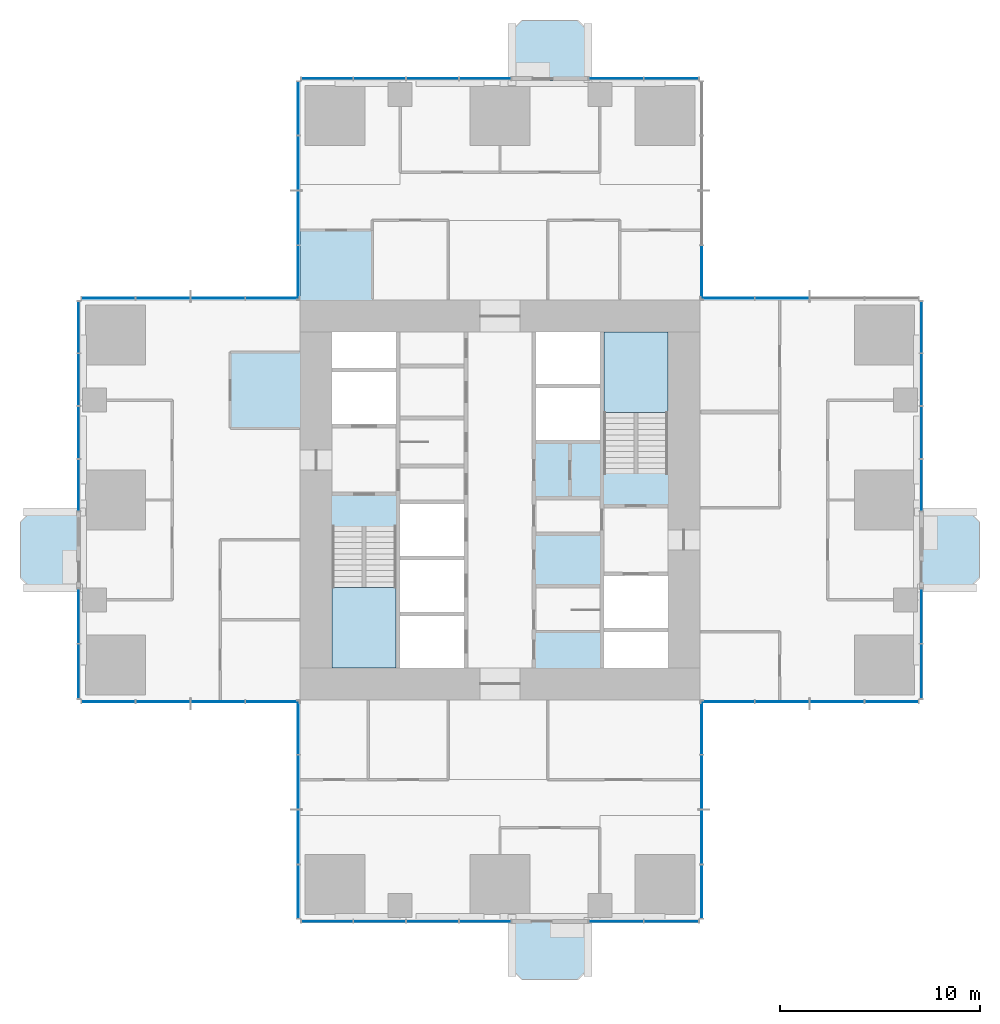
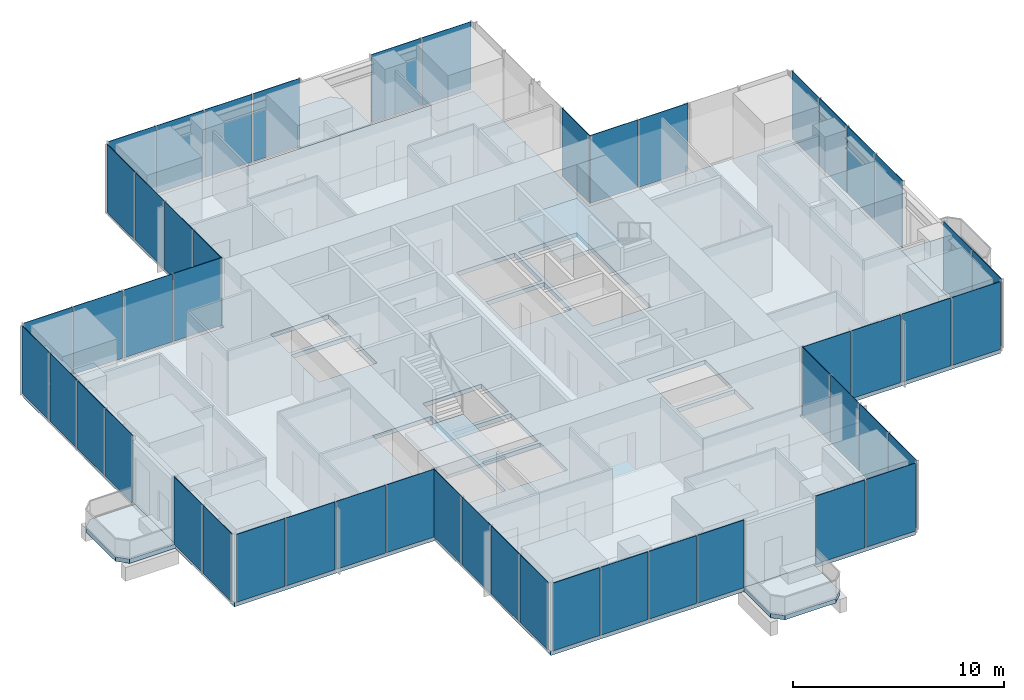
# One storey, part 7 of 14: 51 plates, 7 slabs, 18 elements without a shape of their own.
"""IFC4 building model written with IfcOpenShell, lengths in metres."""

from ifc_helpers import new_model, si_unit, direction, frame, origin, origin_2d, place, context, subcontext, project, spatial, polyline, rectangle, outline, extrude, material, layer, layer_set, type_object, element, aggregate, save


model = new_model("IFC4")

# Units and contexts
model_context = context("Model", 3, precision=1e-05, world=origin(), true_north=direction((0.0, 1.0)))
body_context = subcontext(model_context, "Body", "Model", "MODEL_VIEW")
ifc_project = project(units=[si_unit("LENGTHUNIT", "METRE"), si_unit("AREAUNIT", "SQUARE_METRE"), si_unit("VOLUMEUNIT", "CUBIC_METRE"), si_unit("PLANEANGLEUNIT", "RADIAN"), si_unit("MASSUNIT", "GRAM", prefix="KILO")], contexts=[model_context])

# Site, building, storey
site_placement = place(None, origin())
site = spatial("IfcSite", under=ifc_project, at=site_placement, CompositionType="ELEMENT")
building_placement = place(site_placement, origin())
building = spatial("IfcBuilding", under=site, at=building_placement, Name="Svetlomir Tower", CompositionType="ELEMENT")
storey_placement = place(building_placement, frame((0.0, 0.0, 112.5)))
storey = spatial("IfcBuildingStorey", under=building, at=storey_placement, Name="L26", CompositionType="ELEMENT", Elevation=112.5)

# Slabs
ifc_material_1 = material(Name="Concrete C60/75", Category="concrete")
ifc_layer_1 = layer(ifc_material_1, 0.25)
ifc_layer_set_1 = layer_set([ifc_layer_1], Name="Concrete C60/75")
slab_type_1 = type_object("IfcSlabType", Name="BALCONY SLAB 250", PredefinedType="FLOOR", material=ifc_layer_set_1)
slab_1_placement = place(storey_placement, frame((0.0, 0.0, -0.25)))
element("IfcSlab", 1, at=slab_1_placement, inside=storey, type_object=slab_type_1, Name="L26 S planted balcony", PredefinedType="FLOOR", context=body_context, shape_type="SweptSolid", body=[
    extrude(outline(polyline([(21.60009765625, -2.5), (22.10009765625, -3.0), (24.89990234375, -3.0), (25.39990234375, -2.5), (25.39990234375, 0.0), (21.60009765625, 0.0), (21.60009765625, -2.5)])), origin(), (0.0, 0.0, 1.0), 0.25),
])
slab_2_placement = place(storey_placement, frame((0.0, 0.0, -0.25)))
element("IfcSlab", 2, at=slab_2_placement, inside=storey, type_object=slab_type_1, Name="L26 E planted balcony", PredefinedType="FLOOR", context=body_context, shape_type="SweptSolid", body=[
    extrude(outline(polyline([(42.0, 16.60009765625), (44.5, 16.60009765625), (45.0, 17.10009765625), (45.0, 19.89990234375), (44.5, 20.39990234375), (42.0, 20.39990234375), (42.0, 16.60009765625)])), origin(), (0.0, 0.0, 1.0), 0.25),
])
slab_3_placement = place(storey_placement, frame((0.0, 0.0, -0.25)))
element("IfcSlab", 3, at=slab_3_placement, inside=storey, type_object=slab_type_1, Name="L26 N planted balcony", PredefinedType="FLOOR", context=body_context, shape_type="SweptSolid", body=[
    extrude(outline(polyline([(21.60009765625, 42.0), (25.39990234375, 42.0), (25.39990234375, 44.5), (24.89990234375, 45.0), (22.10009765625, 45.0), (21.60009765625, 44.5), (21.60009765625, 42.0)])), origin(), (0.0, 0.0, 1.0), 0.25),
])
slab_4_placement = place(storey_placement, frame((0.0, 0.0, -0.25)))
element("IfcSlab", 4, at=slab_4_placement, inside=storey, type_object=slab_type_1, Name="L26 W planted balcony", PredefinedType="FLOOR", context=body_context, shape_type="SweptSolid", body=[
    extrude(outline(polyline([(-2.5, 16.60009765625), (0.0, 16.60009765625), (0.0, 20.39990234375), (-2.5, 20.39990234375), (-3.0, 19.89990234375), (-3.0, 17.10009765625), (-2.5, 16.60009765625)])), origin(), (0.0, 0.0, 1.0), 0.25),
])

# Curtain wall, plates
ifc_material_2 = material(Name="Bronze anodised aluminium curtain wall", Category="aluminium")
curtain_wall_type = type_object("IfcCurtainWallType", Name="CURTAIN WALL CW1 TOWER OFFICE", PredefinedType="NOTDEFINED", material=ifc_material_2)
curtain_wall_1_placement = place(storey_placement, origin())
curtain_wall_1 = element("IfcCurtainWall", 5, at=curtain_wall_1_placement, inside=storey, type_object=curtain_wall_type, Name="Curtain wall CW1 L26", PredefinedType="NOTDEFINED")
ifc_material_3 = material(Name="Tinted double glazed unit", Category="glass")
ifc_layer_2 = layer(ifc_material_3, 0.031982421875)
ifc_layer_set_2 = layer_set([ifc_layer_2], Name="Tinted double glazed unit")
plate_type = type_object("IfcPlateType", Name="CW1 GLAZED PANEL 32", PredefinedType="CURTAIN_PANEL", material=ifc_layer_set_2)
plate_1_placement = place(storey_placement, frame((12.34130859375, -0.10009765625, 0.06494140625), z_axis=(0.0, 0.0, 1.0), x_axis=(1.0, 0.0, 0.0)))
plate_1 = element("IfcPlate", 6, at=plate_1_placement, type_object=plate_type, Name="CW1 panel 1.1", PredefinedType="CURTAIN_PANEL", context=body_context, shape_type="SweptSolid", body=[
    extrude(rectangle(XDim=2.552490234375, YDim=0.031982421875, at=origin_2d()), origin(), (0.0, 0.0, 1.0), 3.93505859375),
])
plate_2_placement = place(storey_placement, frame((14.97509765625, -0.10009765625, 0.06494140625), z_axis=(0.0, 0.0, 1.0), x_axis=(1.0, 0.0, 0.0)))
plate_2 = element("IfcPlate", 7, at=plate_2_placement, type_object=plate_type, Name="CW1 panel 2.1", PredefinedType="CURTAIN_PANEL", context=body_context, shape_type="SweptSolid", body=[
    extrude(rectangle(XDim=2.5849609375, YDim=0.031982421875, at=origin_2d()), origin(), (0.0, 0.0, 1.0), 3.93505859375),
])
plate_3_placement = place(storey_placement, frame((17.625, -0.10009765625, 0.06494140625), z_axis=(0.0, 0.0, 1.0), x_axis=(1.0, 0.0, 0.0)))
plate_3 = element("IfcPlate", 8, at=plate_3_placement, type_object=plate_type, Name="CW1 panel 3.1", PredefinedType="CURTAIN_PANEL", context=body_context, shape_type="SweptSolid", body=[
    extrude(rectangle(XDim=2.5849609375, YDim=0.031982421875, at=origin_2d()), origin(), (0.0, 0.0, 1.0), 3.93505859375),
])
plate_4_placement = place(storey_placement, frame((20.2587890625, -0.10009765625, 0.06494140625), z_axis=(0.0, 0.0, 1.0), x_axis=(1.0, 0.0, 0.0)))
plate_4 = element("IfcPlate", 9, at=plate_4_placement, type_object=plate_type, Name="CW1 panel 4.1", PredefinedType="CURTAIN_PANEL", context=body_context, shape_type="SweptSolid", body=[
    extrude(rectangle(XDim=2.552490234375, YDim=0.031982421875, at=origin_2d()), origin(), (0.0, 0.0, 1.0), 3.93505859375),
])
aggregate(curtain_wall_1, [plate_1, plate_2, plate_3, plate_4])

curtain_wall_2_placement = place(storey_placement, origin())
curtain_wall_2 = element("IfcCurtainWall", 10, at=curtain_wall_2_placement, inside=storey, type_object=curtain_wall_type, Name="Curtain wall CW1 L26", PredefinedType="NOTDEFINED")
plate_5_placement = place(storey_placement, frame((26.816162109375, -0.10009765625, 0.06494140625), z_axis=(0.0, 0.0, 1.0), x_axis=(1.0, 0.0, 0.0)))
plate_5 = element("IfcPlate", 11, at=plate_5_placement, type_object=plate_type, Name="CW1 panel 1.1", PredefinedType="CURTAIN_PANEL", context=body_context, shape_type="SweptSolid", body=[
    extrude(rectangle(XDim=2.702392578125, YDim=0.031982421875, at=origin_2d()), origin(), (0.0, 0.0, 1.0), 3.93505859375),
])
plate_6_placement = place(storey_placement, frame((29.583740234375, -0.10009765625, 0.06494140625), z_axis=(0.0, 0.0, 1.0), x_axis=(1.0, 0.0, 0.0)))
plate_6 = element("IfcPlate", 12, at=plate_6_placement, type_object=plate_type, Name="CW1 panel 2.1", PredefinedType="CURTAIN_PANEL", context=body_context, shape_type="SweptSolid", body=[
    extrude(rectangle(XDim=2.702392578125, YDim=0.031982421875, at=origin_2d()), origin(), (0.0, 0.0, 1.0), 3.93505859375),
])
aggregate(curtain_wall_2, [plate_5, plate_6])

curtain_wall_3_placement = place(storey_placement, origin())
curtain_wall_3 = element("IfcCurtainWall", 13, at=curtain_wall_3_placement, inside=storey, type_object=curtain_wall_type, Name="Curtain wall CW1 L26", PredefinedType="NOTDEFINED")
plate_7_placement = place(storey_placement, frame((31.10009765625, 1.391357421875, 0.06494140625), z_axis=(0.0, 0.0, 1.0), x_axis=(0.0, 1.0, 0.0)))
plate_7 = element("IfcPlate", 14, at=plate_7_placement, type_object=plate_type, Name="CW1 panel 1.1", PredefinedType="CURTAIN_PANEL", context=body_context, shape_type="SweptSolid", body=[
    extrude(rectangle(XDim=2.652587890625, YDim=0.031982421875, at=origin_2d()), origin(), (0.0, 0.0, 1.0), 3.93505859375),
])
plate_8_placement = place(storey_placement, frame((31.10009765625, 4.125, 0.06494140625), z_axis=(0.0, 0.0, 1.0), x_axis=(0.0, 1.0, 0.0)))
plate_8 = element("IfcPlate", 15, at=plate_8_placement, type_object=plate_type, Name="CW1 panel 2.1", PredefinedType="CURTAIN_PANEL", context=body_context, shape_type="SweptSolid", body=[
    extrude(rectangle(XDim=2.68505859375, YDim=0.031982421875, at=origin_2d()), origin(), (0.0, 0.0, 1.0), 3.93505859375),
])
plate_9_placement = place(storey_placement, frame((31.10009765625, 6.875, 0.06494140625), z_axis=(0.0, 0.0, 1.0), x_axis=(0.0, 1.0, 0.0)))
plate_9 = element("IfcPlate", 16, at=plate_9_placement, type_object=plate_type, Name="CW1 panel 3.1", PredefinedType="CURTAIN_PANEL", context=body_context, shape_type="SweptSolid", body=[
    extrude(rectangle(XDim=2.68505859375, YDim=0.031982421875, at=origin_2d()), origin(), (0.0, 0.0, 1.0), 3.93505859375),
])
plate_10_placement = place(storey_placement, frame((31.10009765625, 9.608642578125, 0.06494140625), z_axis=(0.0, 0.0, 1.0), x_axis=(0.0, 1.0, 0.0)))
plate_10 = element("IfcPlate", 17, at=plate_10_placement, type_object=plate_type, Name="CW1 panel 4.1", PredefinedType="CURTAIN_PANEL", context=body_context, shape_type="SweptSolid", body=[
    extrude(rectangle(XDim=2.652587890625, YDim=0.031982421875, at=origin_2d()), origin(), (0.0, 0.0, 1.0), 3.93505859375),
])
aggregate(curtain_wall_3, [plate_7, plate_8, plate_9, plate_10])

curtain_wall_4_placement = place(storey_placement, origin())
curtain_wall_4 = element("IfcCurtainWall", 18, at=curtain_wall_4_placement, inside=storey, type_object=curtain_wall_type, Name="Curtain wall CW1 L26", PredefinedType="NOTDEFINED")
plate_11_placement = place(storey_placement, frame((32.391357421875, 10.89990234375, 0.06494140625), z_axis=(0.0, 0.0, 1.0), x_axis=(1.0, 0.0, 0.0)))
plate_11 = element("IfcPlate", 19, at=plate_11_placement, type_object=plate_type, Name="CW1 panel 1.1", PredefinedType="CURTAIN_PANEL", context=body_context, shape_type="SweptSolid", body=[
    extrude(rectangle(XDim=2.652587890625, YDim=0.031982421875, at=origin_2d()), origin(), (0.0, 0.0, 1.0), 3.93505859375),
])
plate_12_placement = place(storey_placement, frame((35.125, 10.89990234375, 0.06494140625), z_axis=(0.0, 0.0, 1.0), x_axis=(1.0, 0.0, 0.0)))
plate_12 = element("IfcPlate", 20, at=plate_12_placement, type_object=plate_type, Name="CW1 panel 2.1", PredefinedType="CURTAIN_PANEL", context=body_context, shape_type="SweptSolid", body=[
    extrude(rectangle(XDim=2.68505859375, YDim=0.031982421875, at=origin_2d()), origin(), (0.0, 0.0, 1.0), 3.93505859375),
])
plate_13_placement = place(storey_placement, frame((37.875, 10.89990234375, 0.06494140625), z_axis=(0.0, 0.0, 1.0), x_axis=(1.0, 0.0, 0.0)))
plate_13 = element("IfcPlate", 21, at=plate_13_placement, type_object=plate_type, Name="CW1 panel 3.1", PredefinedType="CURTAIN_PANEL", context=body_context, shape_type="SweptSolid", body=[
    extrude(rectangle(XDim=2.68505859375, YDim=0.031982421875, at=origin_2d()), origin(), (0.0, 0.0, 1.0), 3.93505859375),
])
plate_14_placement = place(storey_placement, frame((40.608642578125, 10.89990234375, 0.06494140625), z_axis=(0.0, 0.0, 1.0), x_axis=(1.0, 0.0, 0.0)))
plate_14 = element("IfcPlate", 22, at=plate_14_placement, type_object=plate_type, Name="CW1 panel 4.1", PredefinedType="CURTAIN_PANEL", context=body_context, shape_type="SweptSolid", body=[
    extrude(rectangle(XDim=2.652587890625, YDim=0.031982421875, at=origin_2d()), origin(), (0.0, 0.0, 1.0), 3.93505859375),
])
aggregate(curtain_wall_4, [plate_11, plate_12, plate_13, plate_14])

curtain_wall_5_placement = place(storey_placement, origin())
curtain_wall_5 = element("IfcCurtainWall", 23, at=curtain_wall_5_placement, inside=storey, type_object=curtain_wall_type, Name="Curtain wall CW1 L26", PredefinedType="NOTDEFINED")
plate_15_placement = place(storey_placement, frame((42.10009765625, 12.416259765625, 0.06494140625), z_axis=(0.0, 0.0, 1.0), x_axis=(0.0, 1.0, 0.0)))
plate_15 = element("IfcPlate", 24, at=plate_15_placement, type_object=plate_type, Name="CW1 panel 1.1", PredefinedType="CURTAIN_PANEL", context=body_context, shape_type="SweptSolid", body=[
    extrude(rectangle(XDim=2.702392578125, YDim=0.031982421875, at=origin_2d()), origin(), (0.0, 0.0, 1.0), 3.93505859375),
])
plate_16_placement = place(storey_placement, frame((42.10009765625, 15.183837890625, 0.06494140625), z_axis=(0.0, 0.0, 1.0), x_axis=(0.0, 1.0, 0.0)))
plate_16 = element("IfcPlate", 25, at=plate_16_placement, type_object=plate_type, Name="CW1 panel 2.1", PredefinedType="CURTAIN_PANEL", context=body_context, shape_type="SweptSolid", body=[
    extrude(rectangle(XDim=2.702392578125, YDim=0.031982421875, at=origin_2d()), origin(), (0.0, 0.0, 1.0), 3.93505859375),
])
aggregate(curtain_wall_5, [plate_15, plate_16])

curtain_wall_6_placement = place(storey_placement, origin())
curtain_wall_6 = element("IfcCurtainWall", 26, at=curtain_wall_6_placement, inside=storey, type_object=curtain_wall_type, Name="Curtain wall CW1 L26", PredefinedType="NOTDEFINED")
plate_17_placement = place(storey_placement, frame((42.10009765625, 21.7412109375, 0.06494140625), z_axis=(0.0, 0.0, 1.0), x_axis=(0.0, 1.0, 0.0)))
plate_17 = element("IfcPlate", 27, at=plate_17_placement, type_object=plate_type, Name="CW1 panel 1.1", PredefinedType="CURTAIN_PANEL", context=body_context, shape_type="SweptSolid", body=[
    extrude(rectangle(XDim=2.552490234375, YDim=0.031982421875, at=origin_2d()), origin(), (0.0, 0.0, 1.0), 3.93505859375),
])
plate_18_placement = place(storey_placement, frame((42.10009765625, 24.375, 0.06494140625), z_axis=(0.0, 0.0, 1.0), x_axis=(0.0, 1.0, 0.0)))
plate_18 = element("IfcPlate", 28, at=plate_18_placement, type_object=plate_type, Name="CW1 panel 2.1", PredefinedType="CURTAIN_PANEL", context=body_context, shape_type="SweptSolid", body=[
    extrude(rectangle(XDim=2.5849609375, YDim=0.031982421875, at=origin_2d()), origin(), (0.0, 0.0, 1.0), 3.93505859375),
])
plate_19_placement = place(storey_placement, frame((42.10009765625, 27.02490234375, 0.06494140625), z_axis=(0.0, 0.0, 1.0), x_axis=(0.0, 1.0, 0.0)))
plate_19 = element("IfcPlate", 29, at=plate_19_placement, type_object=plate_type, Name="CW1 panel 3.1", PredefinedType="CURTAIN_PANEL", context=body_context, shape_type="SweptSolid", body=[
    extrude(rectangle(XDim=2.5849609375, YDim=0.031982421875, at=origin_2d()), origin(), (0.0, 0.0, 1.0), 3.93505859375),
])
plate_20_placement = place(storey_placement, frame((42.10009765625, 29.65869140625, 0.06494140625), z_axis=(0.0, 0.0, 1.0), x_axis=(0.0, 1.0, 0.0)))
plate_20 = element("IfcPlate", 30, at=plate_20_placement, type_object=plate_type, Name="CW1 panel 4.1", PredefinedType="CURTAIN_PANEL", context=body_context, shape_type="SweptSolid", body=[
    extrude(rectangle(XDim=2.552490234375, YDim=0.031982421875, at=origin_2d()), origin(), (0.0, 0.0, 1.0), 3.93505859375),
])
aggregate(curtain_wall_6, [plate_17, plate_18, plate_19, plate_20])

curtain_wall_7_placement = place(storey_placement, origin())
curtain_wall_7 = element("IfcCurtainWall", 31, at=curtain_wall_7_placement, inside=storey, type_object=curtain_wall_type, Name="Curtain wall CW1 L26", PredefinedType="NOTDEFINED")
plate_21_placement = place(storey_placement, frame((35.125, 31.10009765625, 0.06494140625), z_axis=(0.0, 0.0, 1.0), x_axis=(-1.0, 0.0, 0.0)))
plate_21 = element("IfcPlate", 32, at=plate_21_placement, type_object=plate_type, Name="CW1 panel 3.1", PredefinedType="CURTAIN_PANEL", context=body_context, shape_type="SweptSolid", body=[
    extrude(rectangle(XDim=2.68505859375, YDim=0.031982421875, at=origin_2d()), origin(), (0.0, 0.0, 1.0), 3.93505859375),
])
plate_22_placement = place(storey_placement, frame((32.391357421875, 31.10009765625, 0.06494140625), z_axis=(0.0, 0.0, 1.0), x_axis=(-1.0, 0.0, 0.0)))
plate_22 = element("IfcPlate", 33, at=plate_22_placement, type_object=plate_type, Name="CW1 panel 4.1", PredefinedType="CURTAIN_PANEL", context=body_context, shape_type="SweptSolid", body=[
    extrude(rectangle(XDim=2.652587890625, YDim=0.031982421875, at=origin_2d()), origin(), (0.0, 0.0, 1.0), 3.93505859375),
])
aggregate(curtain_wall_7, [plate_21, plate_22])

# Curtain wall, plate
curtain_wall_8_placement = place(storey_placement, origin())
curtain_wall_8 = element("IfcCurtainWall", 34, at=curtain_wall_8_placement, inside=storey, type_object=curtain_wall_type, Name="Curtain wall CW1 L26", PredefinedType="NOTDEFINED")
plate_23_placement = place(storey_placement, frame((31.10009765625, 32.391357421875, 0.06494140625), z_axis=(0.0, 0.0, 1.0), x_axis=(0.0, 1.0, 0.0)))
plate_23 = element("IfcPlate", 35, at=plate_23_placement, type_object=plate_type, Name="CW1 panel 1.1", PredefinedType="CURTAIN_PANEL", context=body_context, shape_type="SweptSolid", body=[
    extrude(rectangle(XDim=2.652587890625, YDim=0.031982421875, at=origin_2d()), origin(), (0.0, 0.0, 1.0), 3.93505859375),
])
aggregate(curtain_wall_8, [plate_23])

# Curtain wall, plates
curtain_wall_9_placement = place(storey_placement, origin())
curtain_wall_9 = element("IfcCurtainWall", 36, at=curtain_wall_9_placement, inside=storey, type_object=curtain_wall_type, Name="Curtain wall CW1 L26", PredefinedType="NOTDEFINED")
plate_24_placement = place(storey_placement, frame((29.583740234375, 42.10009765625, 0.06494140625), z_axis=(0.0, 0.0, 1.0), x_axis=(-1.0, 0.0, 0.0)))
plate_24 = element("IfcPlate", 37, at=plate_24_placement, type_object=plate_type, Name="CW1 panel 1.1", PredefinedType="CURTAIN_PANEL", context=body_context, shape_type="SweptSolid", body=[
    extrude(rectangle(XDim=2.702392578125, YDim=0.031982421875, at=origin_2d()), origin(), (0.0, 0.0, 1.0), 3.93505859375),
])
plate_25_placement = place(storey_placement, frame((26.816162109375, 42.10009765625, 0.06494140625), z_axis=(0.0, 0.0, 1.0), x_axis=(-1.0, 0.0, 0.0)))
plate_25 = element("IfcPlate", 38, at=plate_25_placement, type_object=plate_type, Name="CW1 panel 2.1", PredefinedType="CURTAIN_PANEL", context=body_context, shape_type="SweptSolid", body=[
    extrude(rectangle(XDim=2.702392578125, YDim=0.031982421875, at=origin_2d()), origin(), (0.0, 0.0, 1.0), 3.93505859375),
])
aggregate(curtain_wall_9, [plate_24, plate_25])

curtain_wall_10_placement = place(storey_placement, origin())
curtain_wall_10 = element("IfcCurtainWall", 39, at=curtain_wall_10_placement, inside=storey, type_object=curtain_wall_type, Name="Curtain wall CW1 L26", PredefinedType="NOTDEFINED")
plate_26_placement = place(storey_placement, frame((20.2587890625, 42.10009765625, 0.06494140625), z_axis=(0.0, 0.0, 1.0), x_axis=(-1.0, 0.0, 0.0)))
plate_26 = element("IfcPlate", 40, at=plate_26_placement, type_object=plate_type, Name="CW1 panel 1.1", PredefinedType="CURTAIN_PANEL", context=body_context, shape_type="SweptSolid", body=[
    extrude(rectangle(XDim=2.552490234375, YDim=0.031982421875, at=origin_2d()), origin(), (0.0, 0.0, 1.0), 3.93505859375),
])
plate_27_placement = place(storey_placement, frame((17.625, 42.10009765625, 0.06494140625), z_axis=(0.0, 0.0, 1.0), x_axis=(-1.0, 0.0, 0.0)))
plate_27 = element("IfcPlate", 41, at=plate_27_placement, type_object=plate_type, Name="CW1 panel 2.1", PredefinedType="CURTAIN_PANEL", context=body_context, shape_type="SweptSolid", body=[
    extrude(rectangle(XDim=2.5849609375, YDim=0.031982421875, at=origin_2d()), origin(), (0.0, 0.0, 1.0), 3.93505859375),
])
plate_28_placement = place(storey_placement, frame((14.97509765625, 42.10009765625, 0.06494140625), z_axis=(0.0, 0.0, 1.0), x_axis=(-1.0, 0.0, 0.0)))
plate_28 = element("IfcPlate", 42, at=plate_28_placement, type_object=plate_type, Name="CW1 panel 3.1", PredefinedType="CURTAIN_PANEL", context=body_context, shape_type="SweptSolid", body=[
    extrude(rectangle(XDim=2.5849609375, YDim=0.031982421875, at=origin_2d()), origin(), (0.0, 0.0, 1.0), 3.93505859375),
])
plate_29_placement = place(storey_placement, frame((12.34130859375, 42.10009765625, 0.06494140625), z_axis=(0.0, 0.0, 1.0), x_axis=(-1.0, 0.0, 0.0)))
plate_29 = element("IfcPlate", 43, at=plate_29_placement, type_object=plate_type, Name="CW1 panel 4.1", PredefinedType="CURTAIN_PANEL", context=body_context, shape_type="SweptSolid", body=[
    extrude(rectangle(XDim=2.552490234375, YDim=0.031982421875, at=origin_2d()), origin(), (0.0, 0.0, 1.0), 3.93505859375),
])
aggregate(curtain_wall_10, [plate_26, plate_27, plate_28, plate_29])

curtain_wall_11_placement = place(storey_placement, origin())
curtain_wall_11 = element("IfcCurtainWall", 44, at=curtain_wall_11_placement, inside=storey, type_object=curtain_wall_type, Name="Curtain wall CW1 L26", PredefinedType="NOTDEFINED")
plate_30_placement = place(storey_placement, frame((10.89990234375, 40.608642578125, 0.06494140625), z_axis=(0.0, 0.0, 1.0), x_axis=(0.0, -1.0, 0.0)))
plate_30 = element("IfcPlate", 45, at=plate_30_placement, type_object=plate_type, Name="CW1 panel 1.1", PredefinedType="CURTAIN_PANEL", context=body_context, shape_type="SweptSolid", body=[
    extrude(rectangle(XDim=2.652587890625, YDim=0.031982421875, at=origin_2d()), origin(), (0.0, 0.0, 1.0), 3.93505859375),
])
plate_31_placement = place(storey_placement, frame((10.89990234375, 37.875, 0.06494140625), z_axis=(0.0, 0.0, 1.0), x_axis=(0.0, -1.0, 0.0)))
plate_31 = element("IfcPlate", 46, at=plate_31_placement, type_object=plate_type, Name="CW1 panel 2.1", PredefinedType="CURTAIN_PANEL", context=body_context, shape_type="SweptSolid", body=[
    extrude(rectangle(XDim=2.68505859375, YDim=0.031982421875, at=origin_2d()), origin(), (0.0, 0.0, 1.0), 3.93505859375),
])
plate_32_placement = place(storey_placement, frame((10.89990234375, 35.125, 0.06494140625), z_axis=(0.0, 0.0, 1.0), x_axis=(0.0, -1.0, 0.0)))
plate_32 = element("IfcPlate", 47, at=plate_32_placement, type_object=plate_type, Name="CW1 panel 3.1", PredefinedType="CURTAIN_PANEL", context=body_context, shape_type="SweptSolid", body=[
    extrude(rectangle(XDim=2.68505859375, YDim=0.031982421875, at=origin_2d()), origin(), (0.0, 0.0, 1.0), 3.93505859375),
])
plate_33_placement = place(storey_placement, frame((10.89990234375, 32.391357421875, 0.06494140625), z_axis=(0.0, 0.0, 1.0), x_axis=(0.0, -1.0, 0.0)))
plate_33 = element("IfcPlate", 48, at=plate_33_placement, type_object=plate_type, Name="CW1 panel 4.1", PredefinedType="CURTAIN_PANEL", context=body_context, shape_type="SweptSolid", body=[
    extrude(rectangle(XDim=2.652587890625, YDim=0.031982421875, at=origin_2d()), origin(), (0.0, 0.0, 1.0), 3.93505859375),
])
aggregate(curtain_wall_11, [plate_30, plate_31, plate_32, plate_33])

curtain_wall_12_placement = place(storey_placement, origin())
curtain_wall_12 = element("IfcCurtainWall", 49, at=curtain_wall_12_placement, inside=storey, type_object=curtain_wall_type, Name="Curtain wall CW1 L26", PredefinedType="NOTDEFINED")
plate_34_placement = place(storey_placement, frame((9.608642578125, 31.10009765625, 0.06494140625), z_axis=(0.0, 0.0, 1.0), x_axis=(-1.0, 0.0, 0.0)))
plate_34 = element("IfcPlate", 50, at=plate_34_placement, type_object=plate_type, Name="CW1 panel 1.1", PredefinedType="CURTAIN_PANEL", context=body_context, shape_type="SweptSolid", body=[
    extrude(rectangle(XDim=2.652587890625, YDim=0.031982421875, at=origin_2d()), origin(), (0.0, 0.0, 1.0), 3.93505859375),
])
plate_35_placement = place(storey_placement, frame((6.875, 31.10009765625, 0.06494140625), z_axis=(0.0, 0.0, 1.0), x_axis=(-1.0, 0.0, 0.0)))
plate_35 = element("IfcPlate", 51, at=plate_35_placement, type_object=plate_type, Name="CW1 panel 2.1", PredefinedType="CURTAIN_PANEL", context=body_context, shape_type="SweptSolid", body=[
    extrude(rectangle(XDim=2.68505859375, YDim=0.031982421875, at=origin_2d()), origin(), (0.0, 0.0, 1.0), 3.93505859375),
])
plate_36_placement = place(storey_placement, frame((4.125, 31.10009765625, 0.06494140625), z_axis=(0.0, 0.0, 1.0), x_axis=(-1.0, 0.0, 0.0)))
plate_36 = element("IfcPlate", 52, at=plate_36_placement, type_object=plate_type, Name="CW1 panel 3.1", PredefinedType="CURTAIN_PANEL", context=body_context, shape_type="SweptSolid", body=[
    extrude(rectangle(XDim=2.68505859375, YDim=0.031982421875, at=origin_2d()), origin(), (0.0, 0.0, 1.0), 3.93505859375),
])
plate_37_placement = place(storey_placement, frame((1.391357421875, 31.10009765625, 0.06494140625), z_axis=(0.0, 0.0, 1.0), x_axis=(-1.0, 0.0, 0.0)))
plate_37 = element("IfcPlate", 53, at=plate_37_placement, type_object=plate_type, Name="CW1 panel 4.1", PredefinedType="CURTAIN_PANEL", context=body_context, shape_type="SweptSolid", body=[
    extrude(rectangle(XDim=2.652587890625, YDim=0.031982421875, at=origin_2d()), origin(), (0.0, 0.0, 1.0), 3.93505859375),
])
aggregate(curtain_wall_12, [plate_34, plate_35, plate_36, plate_37])

curtain_wall_13_placement = place(storey_placement, origin())
curtain_wall_13 = element("IfcCurtainWall", 54, at=curtain_wall_13_placement, inside=storey, type_object=curtain_wall_type, Name="Curtain wall CW1 L26", PredefinedType="NOTDEFINED")
plate_38_placement = place(storey_placement, frame((-0.10009765625, 29.65869140625, 0.06494140625), z_axis=(0.0, 0.0, 1.0), x_axis=(0.0, -1.0, 0.0)))
plate_38 = element("IfcPlate", 55, at=plate_38_placement, type_object=plate_type, Name="CW1 panel 1.1", PredefinedType="CURTAIN_PANEL", context=body_context, shape_type="SweptSolid", body=[
    extrude(rectangle(XDim=2.552490234375, YDim=0.031982421875, at=origin_2d()), origin(), (0.0, 0.0, 1.0), 3.93505859375),
])
plate_39_placement = place(storey_placement, frame((-0.10009765625, 27.02490234375, 0.06494140625), z_axis=(0.0, 0.0, 1.0), x_axis=(0.0, -1.0, 0.0)))
plate_39 = element("IfcPlate", 56, at=plate_39_placement, type_object=plate_type, Name="CW1 panel 2.1", PredefinedType="CURTAIN_PANEL", context=body_context, shape_type="SweptSolid", body=[
    extrude(rectangle(XDim=2.5849609375, YDim=0.031982421875, at=origin_2d()), origin(), (0.0, 0.0, 1.0), 3.93505859375),
])
plate_40_placement = place(storey_placement, frame((-0.10009765625, 24.375, 0.06494140625), z_axis=(0.0, 0.0, 1.0), x_axis=(0.0, -1.0, 0.0)))
plate_40 = element("IfcPlate", 57, at=plate_40_placement, type_object=plate_type, Name="CW1 panel 3.1", PredefinedType="CURTAIN_PANEL", context=body_context, shape_type="SweptSolid", body=[
    extrude(rectangle(XDim=2.5849609375, YDim=0.031982421875, at=origin_2d()), origin(), (0.0, 0.0, 1.0), 3.93505859375),
])
plate_41_placement = place(storey_placement, frame((-0.10009765625, 21.7412109375, 0.06494140625), z_axis=(0.0, 0.0, 1.0), x_axis=(0.0, -1.0, 0.0)))
plate_41 = element("IfcPlate", 58, at=plate_41_placement, type_object=plate_type, Name="CW1 panel 4.1", PredefinedType="CURTAIN_PANEL", context=body_context, shape_type="SweptSolid", body=[
    extrude(rectangle(XDim=2.552490234375, YDim=0.031982421875, at=origin_2d()), origin(), (0.0, 0.0, 1.0), 3.93505859375),
])
aggregate(curtain_wall_13, [plate_38, plate_39, plate_40, plate_41])

curtain_wall_14_placement = place(storey_placement, origin())
curtain_wall_14 = element("IfcCurtainWall", 59, at=curtain_wall_14_placement, inside=storey, type_object=curtain_wall_type, Name="Curtain wall CW1 L26", PredefinedType="NOTDEFINED")
plate_42_placement = place(storey_placement, frame((-0.10009765625, 15.183837890625, 0.06494140625), z_axis=(0.0, 0.0, 1.0), x_axis=(0.0, -1.0, 0.0)))
plate_42 = element("IfcPlate", 60, at=plate_42_placement, type_object=plate_type, Name="CW1 panel 1.1", PredefinedType="CURTAIN_PANEL", context=body_context, shape_type="SweptSolid", body=[
    extrude(rectangle(XDim=2.702392578125, YDim=0.031982421875, at=origin_2d()), origin(), (0.0, 0.0, 1.0), 3.93505859375),
])
plate_43_placement = place(storey_placement, frame((-0.10009765625, 12.416259765625, 0.06494140625), z_axis=(0.0, 0.0, 1.0), x_axis=(0.0, -1.0, 0.0)))
plate_43 = element("IfcPlate", 61, at=plate_43_placement, type_object=plate_type, Name="CW1 panel 2.1", PredefinedType="CURTAIN_PANEL", context=body_context, shape_type="SweptSolid", body=[
    extrude(rectangle(XDim=2.702392578125, YDim=0.031982421875, at=origin_2d()), origin(), (0.0, 0.0, 1.0), 3.93505859375),
])
aggregate(curtain_wall_14, [plate_42, plate_43])

curtain_wall_15_placement = place(storey_placement, origin())
curtain_wall_15 = element("IfcCurtainWall", 62, at=curtain_wall_15_placement, inside=storey, type_object=curtain_wall_type, Name="Curtain wall CW1 L26", PredefinedType="NOTDEFINED")
plate_44_placement = place(storey_placement, frame((1.391357421875, 10.89990234375, 0.06494140625), z_axis=(0.0, 0.0, 1.0), x_axis=(1.0, 0.0, 0.0)))
plate_44 = element("IfcPlate", 63, at=plate_44_placement, type_object=plate_type, Name="CW1 panel 1.1", PredefinedType="CURTAIN_PANEL", context=body_context, shape_type="SweptSolid", body=[
    extrude(rectangle(XDim=2.652587890625, YDim=0.031982421875, at=origin_2d()), origin(), (0.0, 0.0, 1.0), 3.93505859375),
])
plate_45_placement = place(storey_placement, frame((4.125, 10.89990234375, 0.06494140625), z_axis=(0.0, 0.0, 1.0), x_axis=(1.0, 0.0, 0.0)))
plate_45 = element("IfcPlate", 64, at=plate_45_placement, type_object=plate_type, Name="CW1 panel 2.1", PredefinedType="CURTAIN_PANEL", context=body_context, shape_type="SweptSolid", body=[
    extrude(rectangle(XDim=2.68505859375, YDim=0.031982421875, at=origin_2d()), origin(), (0.0, 0.0, 1.0), 3.93505859375),
])
plate_46_placement = place(storey_placement, frame((6.875, 10.89990234375, 0.06494140625), z_axis=(0.0, 0.0, 1.0), x_axis=(1.0, 0.0, 0.0)))
plate_46 = element("IfcPlate", 65, at=plate_46_placement, type_object=plate_type, Name="CW1 panel 3.1", PredefinedType="CURTAIN_PANEL", context=body_context, shape_type="SweptSolid", body=[
    extrude(rectangle(XDim=2.68505859375, YDim=0.031982421875, at=origin_2d()), origin(), (0.0, 0.0, 1.0), 3.93505859375),
])
plate_47_placement = place(storey_placement, frame((9.608642578125, 10.89990234375, 0.06494140625), z_axis=(0.0, 0.0, 1.0), x_axis=(1.0, 0.0, 0.0)))
plate_47 = element("IfcPlate", 66, at=plate_47_placement, type_object=plate_type, Name="CW1 panel 4.1", PredefinedType="CURTAIN_PANEL", context=body_context, shape_type="SweptSolid", body=[
    extrude(rectangle(XDim=2.652587890625, YDim=0.031982421875, at=origin_2d()), origin(), (0.0, 0.0, 1.0), 3.93505859375),
])
aggregate(curtain_wall_15, [plate_44, plate_45, plate_46, plate_47])

curtain_wall_16_placement = place(storey_placement, origin())
curtain_wall_16 = element("IfcCurtainWall", 67, at=curtain_wall_16_placement, inside=storey, type_object=curtain_wall_type, Name="Curtain wall CW1 L26", PredefinedType="NOTDEFINED")
plate_48_placement = place(storey_placement, frame((10.89990234375, 9.608642578125, 0.06494140625), z_axis=(0.0, 0.0, 1.0), x_axis=(0.0, -1.0, 0.0)))
plate_48 = element("IfcPlate", 68, at=plate_48_placement, type_object=plate_type, Name="CW1 panel 1.1", PredefinedType="CURTAIN_PANEL", context=body_context, shape_type="SweptSolid", body=[
    extrude(rectangle(XDim=2.652587890625, YDim=0.031982421875, at=origin_2d()), origin(), (0.0, 0.0, 1.0), 3.93505859375),
])
plate_49_placement = place(storey_placement, frame((10.89990234375, 6.875, 0.06494140625), z_axis=(0.0, 0.0, 1.0), x_axis=(0.0, -1.0, 0.0)))
plate_49 = element("IfcPlate", 69, at=plate_49_placement, type_object=plate_type, Name="CW1 panel 2.1", PredefinedType="CURTAIN_PANEL", context=body_context, shape_type="SweptSolid", body=[
    extrude(rectangle(XDim=2.68505859375, YDim=0.031982421875, at=origin_2d()), origin(), (0.0, 0.0, 1.0), 3.93505859375),
])
plate_50_placement = place(storey_placement, frame((10.89990234375, 4.125, 0.06494140625), z_axis=(0.0, 0.0, 1.0), x_axis=(0.0, -1.0, 0.0)))
plate_50 = element("IfcPlate", 70, at=plate_50_placement, type_object=plate_type, Name="CW1 panel 3.1", PredefinedType="CURTAIN_PANEL", context=body_context, shape_type="SweptSolid", body=[
    extrude(rectangle(XDim=2.68505859375, YDim=0.031982421875, at=origin_2d()), origin(), (0.0, 0.0, 1.0), 3.93505859375),
])
plate_51_placement = place(storey_placement, frame((10.89990234375, 1.391357421875, 0.06494140625), z_axis=(0.0, 0.0, 1.0), x_axis=(0.0, -1.0, 0.0)))
plate_51 = element("IfcPlate", 71, at=plate_51_placement, type_object=plate_type, Name="CW1 panel 4.1", PredefinedType="CURTAIN_PANEL", context=body_context, shape_type="SweptSolid", body=[
    extrude(rectangle(XDim=2.652587890625, YDim=0.031982421875, at=origin_2d()), origin(), (0.0, 0.0, 1.0), 3.93505859375),
])
aggregate(curtain_wall_16, [plate_48, plate_49, plate_50, plate_51])

# Slab
ifc_material_4 = material(Name="Concrete C60/75", Category="concrete")
ifc_layer_3 = layer(ifc_material_4, 0.25)
ifc_layer_set_3 = layer_set([ifc_layer_3], Name="Concrete C60/75")
slab_type_2 = type_object("IfcSlabType", Name="FLOOR SLAB 250", PredefinedType="FLOOR", material=ifc_layer_set_3)
slab_5_placement = place(storey_placement, frame((0.0, 0.0, -0.25)))
element("IfcSlab", 72, at=slab_5_placement, inside=storey, type_object=slab_type_2, Name="L26 floor slab", PredefinedType="FLOOR", context=body_context, shape_type="SweptSolid", body=[
    extrude(outline(polyline([(11.0, 0.0), (31.0, 0.0), (31.0, 11.0), (42.0, 11.0), (42.0, 31.0), (31.0, 31.0), (31.0, 42.0), (11.0, 42.0), (11.0, 31.0), (0.0, 31.0), (0.0, 11.0), (11.0, 11.0), (11.0, 0.0)]), holes=[polyline([(12.60009765625, 24.800048828125), (15.800048828125, 24.800048828125), (15.800048828125, 27.39990234375), (12.60009765625, 27.39990234375), (12.60009765625, 24.800048828125)]), polyline([(26.199951171875, 14.60009765625), (29.39990234375, 14.60009765625), (29.39990234375, 17.199951171875), (26.199951171875, 17.199951171875), (26.199951171875, 14.60009765625)]), polyline([(16.0, 12.60009765625), (19.199951171875, 12.60009765625), (19.199951171875, 15.199951171875), (16.0, 15.199951171875), (16.0, 12.60009765625)]), polyline([(16.0, 15.39990234375), (19.199951171875, 15.39990234375), (19.199951171875, 18.0), (16.0, 18.0), (16.0, 15.39990234375)]), polyline([(16.0, 18.199951171875), (19.199951171875, 18.199951171875), (19.199951171875, 20.800048828125), (16.0, 20.800048828125), (16.0, 18.199951171875)]), polyline([(22.800048828125, 24.0), (26.0, 24.0), (26.0, 26.60009765625), (22.800048828125, 26.60009765625), (22.800048828125, 24.0)]), polyline([(22.800048828125, 26.800048828125), (26.0, 26.800048828125), (26.0, 29.39990234375), (22.800048828125, 29.39990234375), (22.800048828125, 26.800048828125)]), polyline([(12.60009765625, 27.60009765625), (15.800048828125, 27.60009765625), (15.800048828125, 29.39990234375), (12.60009765625, 29.39990234375), (12.60009765625, 27.60009765625)]), polyline([(26.199951171875, 12.60009765625), (29.39990234375, 12.60009765625), (29.39990234375, 14.39990234375), (26.199951171875, 14.39990234375), (26.199951171875, 12.60009765625)]), polyline([(12.60009765625, 12.60009765625), (15.800048828125, 12.60009765625), (15.800048828125, 19.679931640625), (12.60009765625, 19.679931640625), (12.60009765625, 12.60009765625)]), polyline([(26.199951171875, 22.320068359375), (29.39990234375, 22.320068359375), (29.39990234375, 29.39990234375), (26.199951171875, 29.39990234375), (26.199951171875, 22.320068359375)])]), origin(), (0.0, 0.0, 1.0), 0.25),
])

# Stair, slab
ifc_material_5 = material(Name="Concrete C60/75", Category="concrete")
stair_type = type_object("IfcStairType", Name="EXIT STAIR 3200 RISE 4000", PredefinedType="HALF_TURN_STAIR", material=ifc_material_5)
stair_1_placement = place(storey_placement, origin())
stair_1 = element("IfcStair", 73, at=stair_1_placement, inside=storey, type_object=stair_type, Name="Stair S1 L26 to L27", PredefinedType="HALF_TURN_STAIR")
ifc_material_6 = material(Name="Concrete C60/75", Category="concrete")
ifc_layer_4 = layer(ifc_material_6, 0.199951171875)
ifc_layer_set_4 = layer_set([ifc_layer_4], Name="Concrete C60/75")
slab_type_3 = type_object("IfcSlabType", Name="STAIR LANDING 200", PredefinedType="LANDING", material=ifc_layer_set_4)
slab_6_placement = place(storey_placement, frame((0.0, 0.0, 1.800048828125)))
slab_6 = element("IfcSlab", 74, at=slab_6_placement, type_object=slab_type_3, Name="S1 landing 1", PredefinedType="LANDING", context=body_context, shape_type="SweptSolid", body=[
    extrude(outline(polyline([(12.60009765625, 12.60009765625), (15.800048828125, 12.60009765625), (15.800048828125, 16.6201171875), (12.60009765625, 16.6201171875), (12.60009765625, 12.60009765625)])), origin(), (0.0, 0.0, 1.0), 0.199951171875),
])
aggregate(stair_1, [slab_6])

stair_2_placement = place(storey_placement, origin())
stair_2 = element("IfcStair", 75, at=stair_2_placement, inside=storey, type_object=stair_type, Name="Stair S2 L26 to L27", PredefinedType="HALF_TURN_STAIR")
slab_7_placement = place(storey_placement, frame((0.0, 0.0, 1.800048828125)))
slab_7 = element("IfcSlab", 76, at=slab_7_placement, type_object=slab_type_3, Name="S2 landing 1", PredefinedType="LANDING", context=body_context, shape_type="SweptSolid", body=[
    extrude(outline(polyline([(26.199951171875, 25.3798828125), (29.39990234375, 25.3798828125), (29.39990234375, 29.39990234375), (26.199951171875, 29.39990234375), (26.199951171875, 25.3798828125)])), origin(), (0.0, 0.0, 1.0), 0.199951171875),
])
aggregate(stair_2, [slab_7])

save(model, "model.ifc")
